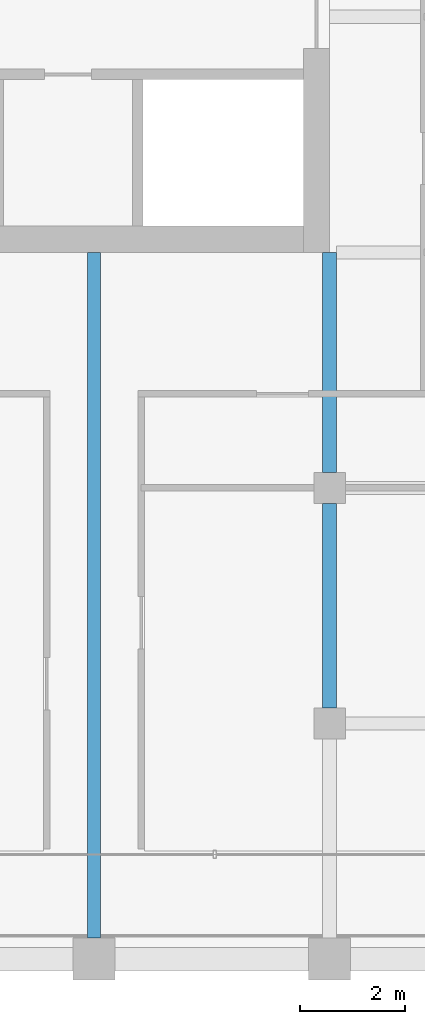
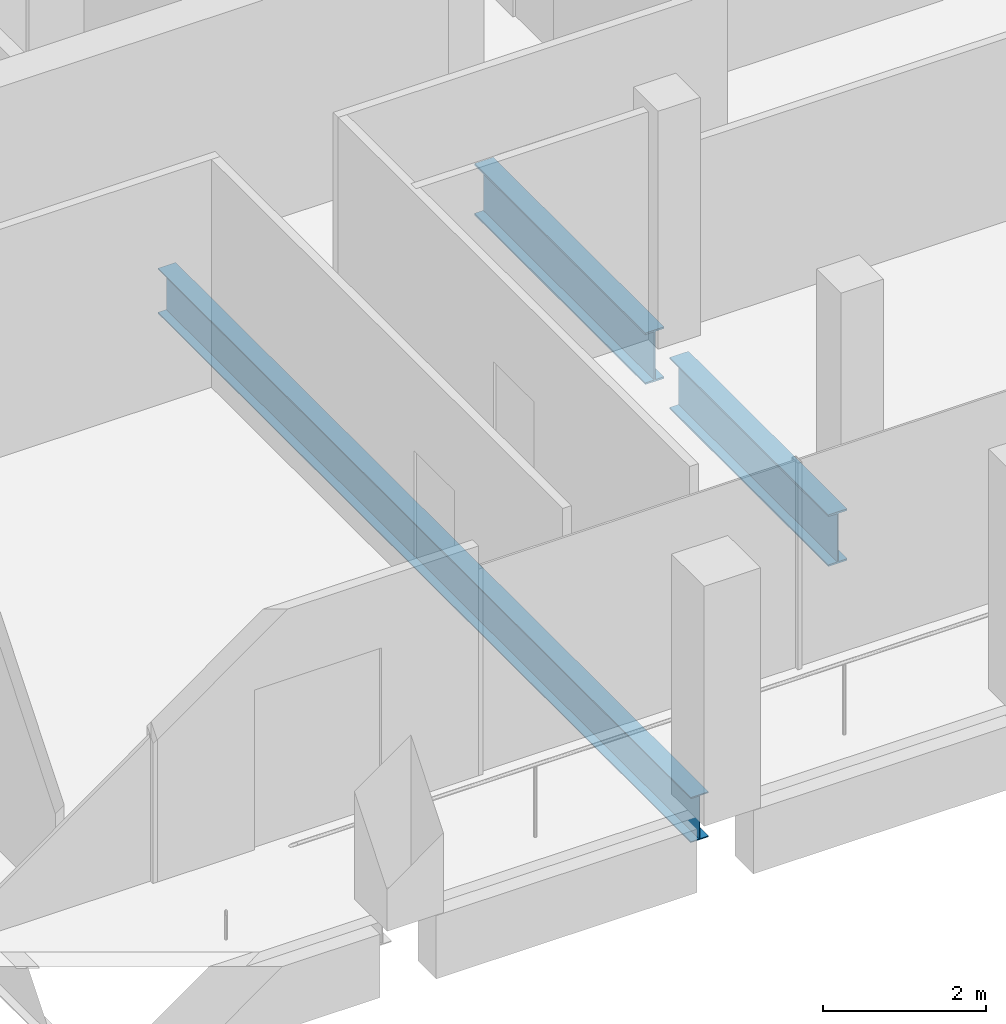
# One storey, part 12 of 62: 3 beams.
"""IFC4 building model written with IfcOpenShell, lengths in metres."""

import ifcopenshell
import ifcopenshell.guid

model = None  # the IFC model being written
_history = None  # IfcOwnerHistory: only IFC2X3 demands one
_inside = {}  # id of a spatial element -> (the spatial element, [elements in it])
_under = {}  # id of a project, library or spatial element -> (it, [spatial elements below it])
_declared = {}  # id of a project -> (the project, [libraries it declares])
_typed = {}  # id of a type object -> (the type object, [elements of that type])
_made_of = {}  # id of a material, layer set ... -> (it, [elements and type objects made of it])


def new_model(schema):
    """Start an empty IFC model of exactly this schema.

    Asked for "IFC4X3", IfcOpenShell would pick the latest addendum, in which some entities
    have other attributes; the version numbers below select the first issue.
    IFC2X3 requires an IfcOwnerHistory on every rooted entity: one is made here for all.
    """
    global model, _history
    if schema == "IFC4X3":
        model = ifcopenshell.file(schema_version=(4, 3, 0, 0))
    else:
        model = ifcopenshell.file(schema=schema)
    _inside.clear()
    _under.clear()
    _declared.clear()
    _typed.clear()
    _made_of.clear()
    _history = None
    if model.schema == "IFC2X3":
        org = make("IfcOrganization", Name="unknown")
        user = make(
            "IfcPersonAndOrganization",
            ThePerson=make("IfcPerson", FamilyName="unknown"),
            TheOrganization=org,
        )
        app = make(
            "IfcApplication",
            ApplicationDeveloper=org,
            Version="unknown",
            ApplicationFullName="unknown",
            ApplicationIdentifier="unknown",
        )
        _history = make(
            "IfcOwnerHistory",
            OwningUser=user,
            OwningApplication=app,
            ChangeAction="ADDED",
            CreationDate=0,
        )
    return model


def make(cls, **values):
    """One entity of the class cls with the attributes given. An attribute that is None is left unset."""
    return model.create_entity(
        cls, **{name: value for name, value in values.items() if value is not None}
    )


def rooted(cls, **values):
    """An entity with a GlobalId (a new one), such as an element, a storey or a relation."""
    return make(cls, GlobalId=ifcopenshell.guid.new(), OwnerHistory=_history, **values)


def si_unit(unit_type, name, prefix=None):
    """IfcSIUnit, for example si_unit("LENGTHUNIT", "METRE", prefix="MILLI")."""
    return make("IfcSIUnit", UnitType=unit_type, Prefix=prefix, Name=name)


def assignment(units):
    """IfcUnitAssignment: the units of a project."""
    return None if units is None else make("IfcUnitAssignment", Units=units)


def point(xyz):
    """IfcCartesianPoint."""
    return None if xyz is None else make("IfcCartesianPoint", Coordinates=xyz)


def direction(xyz):
    """IfcDirection."""
    return None if xyz is None else make("IfcDirection", DirectionRatios=xyz)


def frame(location, z_axis=None, x_axis=None):
    """IfcAxis2Placement3D, a coordinate frame: its origin and axes. An axis left out is left unset."""
    return make(
        "IfcAxis2Placement3D",
        Location=point(location),
        Axis=direction(z_axis),
        RefDirection=direction(x_axis),
    )


def frame_2d(location, x_axis=None):
    """IfcAxis2Placement2D, a coordinate frame in the plane: its origin and x axis."""
    return make(
        "IfcAxis2Placement2D", Location=point(location), RefDirection=direction(x_axis)
    )


def origin():
    """The frame at (0, 0, 0) with its axes left unset."""
    return frame((0.0, 0.0, 0.0))


def origin_2d():
    """The frame at (0, 0) in the plane with its x axis left unset."""
    return frame_2d((0.0, 0.0))


def place(relative_to, where):
    """IfcLocalPlacement: puts the frame where relative to a parent placement (None: the world)."""
    return make(
        "IfcLocalPlacement", PlacementRelTo=relative_to, RelativePlacement=where
    )


def context(
    kind, dimensions, precision=None, world=None, true_north=None, identifier=None
):
    """IfcGeometricRepresentationContext, for example the 3D "Model" context."""
    return make(
        "IfcGeometricRepresentationContext",
        ContextIdentifier=identifier,
        ContextType=kind,
        CoordinateSpaceDimension=dimensions,
        Precision=precision,
        WorldCoordinateSystem=world,
        TrueNorth=true_north,
    )


def subcontext(parent, identifier, kind, view, scale=None):
    """IfcGeometricRepresentationSubContext, for example "Body" below "Model"."""
    return make(
        "IfcGeometricRepresentationSubContext",
        ContextIdentifier=identifier,
        ContextType=kind,
        ParentContext=parent,
        TargetScale=scale,
        TargetView=view,
    )


def project(units=None, contexts=None):
    """IfcProject with its units and contexts."""
    return rooted(
        "IfcProject",
        Name="project",
        RepresentationContexts=contexts,
        UnitsInContext=assignment(units),
    )


def spatial(cls, under=None, at=None, **own):
    """A site, building, storey or space (cls), placed at a placement, below another one or the project."""
    s = rooted(cls, ObjectPlacement=at, **own)
    if under is not None:
        _under.setdefault(under.id(), (under, []))[1].append(s)
    return s


def profile(cls, at=None, kind="AREA", **sizes):
    """A parametric profile (cls). Its sizes go by their IFC names, for example OverallWidth=200.0."""
    return make(cls, ProfileType=kind, Position=at, **sizes)


def i_section(**sizes):
    """IfcIShapeProfileDef."""
    return profile("IfcIShapeProfileDef", **sizes)


def extrude(swept, where, along, depth):
    """IfcExtrudedAreaSolid: the profile swept, set in the frame where, extruded along a direction by depth."""
    return make(
        "IfcExtrudedAreaSolid",
        SweptArea=swept,
        Position=where,
        ExtrudedDirection=direction(along),
        Depth=depth,
    )


def shape(context_of_items, identifier, shape_type, items):
    """IfcShapeRepresentation: the items that make up one representation, for example the "Body"."""
    return make(
        "IfcShapeRepresentation",
        ContextOfItems=context_of_items,
        RepresentationIdentifier=identifier,
        RepresentationType=shape_type,
        Items=items,
    )


def material(Name=None, Category=None):
    """IfcMaterial."""
    return make("IfcMaterial", Name=Name, Category=Category)


def material_profile(
    of_material, cross_section, Name=None, Category=None, Priority=None
):
    """IfcMaterialProfile: a cross section and its material."""
    return make(
        "IfcMaterialProfile",
        Name=Name,
        Material=of_material,
        Profile=cross_section,
        Priority=Priority,
        Category=Category,
    )


def profile_set(profiles, Name=None, composite=None):
    """IfcMaterialProfileSet."""
    return make(
        "IfcMaterialProfileSet",
        Name=Name,
        MaterialProfiles=profiles,
        CompositeProfile=composite,
    )


def made_of(thing, what):
    """Note that an element or type object is made of a material, layer set ...; save() writes the relation."""
    if what is not None:
        _made_of.setdefault(what.id(), (what, []))[1].append(thing)
    return thing


def type_object(cls, material=None, **own):
    """A type object (cls), such as IfcWallType, which elements share."""
    return made_of(rooted(cls, **own), material)


def element(
    cls,
    number,
    at=None,
    inside=None,
    cuts=None,
    type_object=None,
    material=None,
    context=None,
    identifier="Body",
    shape_type=None,
    held_by="IfcProductDefinitionShape",
    body=None,
    shapes=None,
    **own,
):
    """One element of the class cls, such as IfcWall. Its Tag is "e" and its number.

    at: its placement. inside: the storey or other place that contains it. cuts: it is an
    opening in that element (IfcRelVoidsElement). A single representation is given by context,
    identifier, shape_type and body (its items); several are given by shapes. held_by: the class
    of the entity that holds the representations. save() writes the other relations.
    """
    e = rooted(cls, Tag="e%d" % number, ObjectPlacement=at, **own)
    if body is not None:
        shapes = [shape(context, identifier, shape_type, body)]
    if shapes is not None:
        e.Representation = make(held_by, Representations=shapes)
    if inside is not None:
        _inside.setdefault(inside.id(), (inside, []))[1].append(e)
    if cuts is not None:
        rooted(
            "IfcRelVoidsElement", RelatingBuildingElement=cuts, RelatedOpeningElement=e
        )
    if type_object is not None:
        _typed.setdefault(type_object.id(), (type_object, []))[1].append(e)
    return made_of(e, material)


def aggregate(whole, parts):
    """IfcRelAggregates: a whole, such as a stair, and the parts it consists of."""
    return rooted("IfcRelAggregates", RelatingObject=whole, RelatedObjects=parts)


def save(model, path):
    """Write the relations noted so far, then the file.

    IfcRelAggregates (storeys below a building ...), IfcRelContainedInSpatialStructure (elements
    in a storey), IfcRelDefinesByType, IfcRelAssociatesMaterial and IfcRelDeclares: one each for
    every whole, place, type object, material and project.
    """
    for whole, parts in _under.values():
        aggregate(whole, parts)
    for where, things in _inside.values():
        rooted(
            "IfcRelContainedInSpatialStructure",
            RelatedElements=things,
            RelatingStructure=where,
        )
    for kind, things in _typed.values():
        rooted("IfcRelDefinesByType", RelatedObjects=things, RelatingType=kind)
    for what, things in _made_of.values():
        rooted("IfcRelAssociatesMaterial", RelatedObjects=things, RelatingMaterial=what)
    for by, libraries in _declared.values():
        rooted("IfcRelDeclares", RelatingContext=by, RelatedDefinitions=libraries)
    model.write(path)


model = new_model("IFC4")

# Units and contexts
model_context = context("Model", 3, precision=1e-05, world=origin(), true_north=direction((0.0, 1.0)))
body_context = subcontext(model_context, "Body", "Model", "MODEL_VIEW")
ifc_project = project(units=[si_unit("LENGTHUNIT", "METRE"), si_unit("AREAUNIT", "SQUARE_METRE"), si_unit("VOLUMEUNIT", "CUBIC_METRE"), si_unit("PLANEANGLEUNIT", "RADIAN"), si_unit("MASSUNIT", "GRAM", prefix="KILO")], contexts=[model_context])

# Site, building, storey
site_placement = place(None, origin())
site = spatial("IfcSite", under=ifc_project, at=site_placement, CompositionType="ELEMENT")
building_placement = place(site_placement, origin())
building = spatial("IfcBuilding", under=site, at=building_placement, Name="Altepetl Exchange Towers", CompositionType="ELEMENT")
storey_placement = place(building_placement, frame((0.0, 0.0, 210.0)))
storey = spatial("IfcBuildingStorey", under=building, at=storey_placement, Name="L53", CompositionType="ELEMENT", Elevation=210.0)

# Beams
ifc_material = material(Name="Steel S355", Category="steel")
ifc_material_profile_1 = material_profile(ifc_material, i_section(OverallWidth=0.2529296875, OverallDepth=0.677978515625, WebThickness=0.01171875, FlangeThickness=0.016357421875, at=origin_2d()), Name="W27X84")
ifc_profile_set_1 = profile_set([ifc_material_profile_1], Name="Steel S355")
beam_type_1 = type_object("IfcBeamType", Name="Floor beam W27X84", PredefinedType="BEAM", material=ifc_profile_set_1)
beam_1_placement = place(storey_placement, frame((54.0, 27.39990234375, -0.489013671875), z_axis=(0.0, 1.0, 0.0), x_axis=(-1.0, 0.0, 0.0)))
element("IfcBeam", 1, at=beam_1_placement, inside=storey, type_object=beam_type_1, Name="bm:A:L53:017", PredefinedType="BEAM", context=body_context, shape_type="SweptSolid", body=[
    extrude(i_section(OverallWidth=0.2529296875, OverallDepth=0.677978515625, WebThickness=0.01171875, FlangeThickness=0.016357421875, at=origin_2d()), origin(), (0.0, 0.0, 1.0), 13.10009765625),
])
ifc_material_profile_2 = material_profile(ifc_material, i_section(OverallWidth=0.26806640625, OverallDepth=0.77392578125, WebThickness=0.015380859375, FlangeThickness=0.025390625, at=origin_2d()), Name="W30X132")
ifc_profile_set_2 = profile_set([ifc_material_profile_2], Name="Steel S355")
beam_type_2 = type_object("IfcBeamType", Name="Girder W30X132", PredefinedType="BEAM", material=ifc_profile_set_2)
beam_2_placement = place(storey_placement, frame((58.5, 40.5, -0.537109375), z_axis=(0.0, -1.0, 0.0), x_axis=(1.0, 0.0, 0.0)))
element("IfcBeam", 2, at=beam_2_placement, inside=storey, type_object=beam_type_2, Name="gd:A:L53:003", PredefinedType="BEAM", context=body_context, shape_type="SweptSolid", body=[
    extrude(i_section(OverallWidth=0.26806640625, OverallDepth=0.77392578125, WebThickness=0.015380859375, FlangeThickness=0.025390625, at=origin_2d()), origin(), (0.0, 0.0, 1.0), 4.199951171875),
])
beam_3_placement = place(storey_placement, frame((58.5, 35.699951171875, -0.537109375), z_axis=(0.0, -1.0, 0.0), x_axis=(1.0, 0.0, 0.0)))
element("IfcBeam", 3, at=beam_3_placement, inside=storey, type_object=beam_type_2, Name="gd:A:L53:004", PredefinedType="BEAM", context=body_context, shape_type="SweptSolid", body=[
    extrude(i_section(OverallWidth=0.26806640625, OverallDepth=0.77392578125, WebThickness=0.015380859375, FlangeThickness=0.025390625, at=origin_2d()), origin(), (0.0, 0.0, 1.0), 3.89990234375),
])

save(model, "model.ifc")
